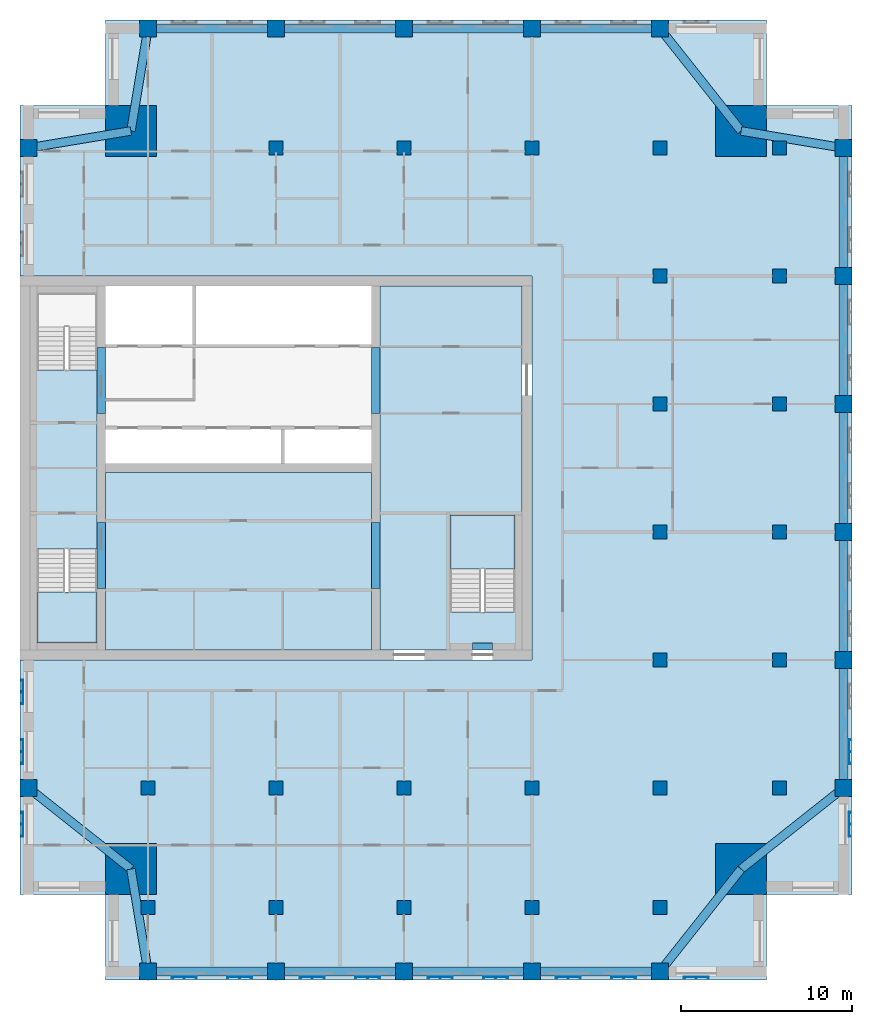
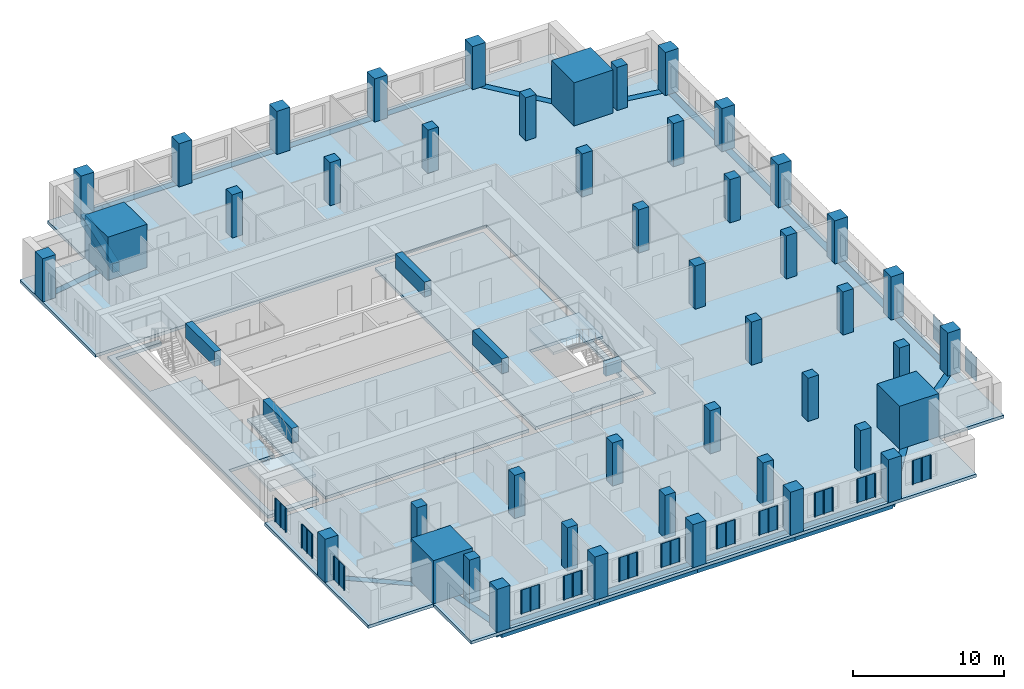
# One storey, part 1 of 10: 46 columns, 26 beams, 14 plates, 6 slabs, 2 elements without a shape of their own.
"""IFC4 building model written with IfcOpenShell, lengths in metres."""

from ifc_helpers import new_model, si_unit, direction, frame, origin, origin_2d, place, context, subcontext, project, spatial, polyline, rectangle, outline, extrude, material, layer, layer_set, material_profile, profile_set, type_object, element, aggregate, save


model = new_model("IFC4")

# Units and contexts
model_context = context("Model", 3, precision=1e-05, world=origin(), true_north=direction((0.0, 1.0)))
body_context = subcontext(model_context, "Body", "Model", "MODEL_VIEW")
ifc_project = project(units=[si_unit("LENGTHUNIT", "METRE"), si_unit("AREAUNIT", "SQUARE_METRE"), si_unit("VOLUMEUNIT", "CUBIC_METRE"), si_unit("PLANEANGLEUNIT", "RADIAN"), si_unit("MASSUNIT", "GRAM", prefix="KILO")], contexts=[model_context])

# Site, building, storey
site_placement = place(None, origin())
site = spatial("IfcSite", under=ifc_project, at=site_placement, CompositionType="ELEMENT")
building_placement = place(site_placement, origin())
building = spatial("IfcBuilding", under=site, at=building_placement, Name="Tamorin Gate", CompositionType="ELEMENT")
storey_placement = place(building_placement, frame((0.0, 0.0, 251.199951171875)))
storey = spatial("IfcBuildingStorey", under=building, at=storey_placement, Name="L63", CompositionType="ELEMENT", Elevation=251.199951171875)

# Columns
ifc_material_1 = material(Name="Concrete C50/60", Category="concrete")
ifc_material_profile_1 = material_profile(ifc_material_1, rectangle(XDim=1.0, YDim=1.0, at=origin_2d()), Name="RC 1000x1000")
ifc_profile_set_1 = profile_set([ifc_material_profile_1], Name="Concrete C50/60")
column_type_1 = type_object("IfcColumnType", Name="RC column 1000x1000 C50/60", PredefinedType="COLUMN", material=ifc_profile_set_1)
for number, where, z_axis, x_axis, name in (
    (1, (37.5, 41.75, 0.0), (0.0, 0.0, 1.0), (1.0, 0.0, 0.0), "Ring column L63"),
    (2, (45.0, 41.75, 0.0), (0.0, 0.0, 1.0), (1.0, 0.0, 0.0), "Ring column L63"),
    (3, (52.5, 41.75, 0.0), (0.0, 0.0, 1.0), (1.0, 0.0, 0.0), "Ring column L63"),
    (4, (60.0, 41.75, 0.0), (0.0, 0.0, 1.0), (1.0, 0.0, 0.0), "Ring column L63"),
    (5, (67.5, 41.75, 0.0), (0.0, 0.0, 1.0), (1.0, 0.0, 0.0), "Ring column L63"),
    (6, (78.25, 52.5, 0.0), (0.0, 0.0, 1.0), (1.0, 0.0, 0.0), "Ring column L63"),
    (7, (78.25, 60.0, 0.0), (0.0, 0.0, 1.0), (1.0, 0.0, 0.0), "Ring column L63"),
    (8, (78.25, 67.5, 0.0), (0.0, 0.0, 1.0), (1.0, 0.0, 0.0), "Ring column L63"),
    (9, (78.25, 75.0, 0.0), (0.0, 0.0, 1.0), (1.0, 0.0, 0.0), "Ring column L63"),
    (10, (78.25, 82.5, 0.0), (0.0, 0.0, 1.0), (1.0, 0.0, 0.0), "Ring column L63"),
    (11, (78.25, 90.0, 0.0), (0.0, 0.0, 1.0), (1.0, 0.0, 0.0), "Ring column L63"),
    (12, (30.5, 52.5, 0.0), (0.0, 0.0, 1.0), (1.0, 0.0, 0.0), "Ring column L63"),
    (13, (30.5, 90.0, 0.0), (0.0, 0.0, 1.0), (1.0, 0.0, 0.0), "Ring column L63"),
    (14, (37.5, 97.0, 0.0), (0.0, 0.0, 1.0), (1.0, 0.0, 0.0), "Ring column L63"),
    (15, (45.0, 97.0, 0.0), (0.0, 0.0, 1.0), (1.0, 0.0, 0.0), "Ring column L63"),
    (16, (52.5, 97.0, 0.0), (0.0, 0.0, 1.0), (1.0, 0.0, 0.0), "Ring column L63"),
    (17, (60.0, 97.0, 0.0), (0.0, 0.0, 1.0), (1.0, 0.0, 0.0), "Ring column L63"),
    (18, (67.5, 97.0, 0.0), (0.0, 0.0, 1.0), (1.0, 0.0, 0.0), "Ring column L63"),
):
    element("IfcColumn", number, at=place(storey_placement, frame(where, z_axis=z_axis, x_axis=x_axis)), inside=storey, type_object=column_type_1, Name=name, PredefinedType="COLUMN", context=body_context, shape_type="SweptSolid", body=[
        extrude(rectangle(XDim=1.0, YDim=1.0, at=origin_2d()), origin(), (0.0, 0.0, 1.0), 3.5),
    ])
ifc_material_profile_2 = material_profile(ifc_material_1, rectangle(XDim=3.0, YDim=3.0, at=origin_2d()), Name="RC 3000x3000")
ifc_profile_set_2 = profile_set([ifc_material_profile_2], Name="Concrete C50/60")
column_type_2 = type_object("IfcColumnType", Name="RC column 3000x3000 C50/60", PredefinedType="COLUMN", material=ifc_profile_set_2)
for number, where, z_axis, x_axis, name in (
    (19, (36.5, 47.75, 0.0), (0.0, 0.0, 1.0), (1.0, 0.0, 0.0), "Mega column SW L63"),
    (20, (72.25, 47.75, 0.0), (0.0, 0.0, 1.0), (1.0, 0.0, 0.0), "Mega column SE L63"),
    (21, (36.5, 91.0, 0.0), (0.0, 0.0, 1.0), (1.0, 0.0, 0.0), "Mega column NW L63"),
    (22, (72.25, 91.0, 0.0), (0.0, 0.0, 1.0), (1.0, 0.0, 0.0), "Mega column NE L63"),
):
    element("IfcColumn", number, at=place(storey_placement, frame(where, z_axis=z_axis, x_axis=x_axis)), inside=storey, type_object=column_type_2, Name=name, PredefinedType="COLUMN", context=body_context, shape_type="SweptSolid", body=[
        extrude(rectangle(XDim=3.0, YDim=3.0, at=origin_2d()), origin(), (0.0, 0.0, 1.0), 3.5),
    ])
ifc_material_profile_3 = material_profile(ifc_material_1, rectangle(XDim=0.800048828125, YDim=0.800048828125, at=origin_2d()), Name="RC 800x800")
ifc_profile_set_3 = profile_set([ifc_material_profile_3], Name="Concrete C50/60")
column_type_3 = type_object("IfcColumnType", Name="RC column 800x800 C50/60", PredefinedType="COLUMN", material=ifc_profile_set_3)
for number, where, z_axis, x_axis, name in (
    (23, (37.5, 45.5, 0.0), (0.0, 0.0, 1.0), (1.0, 0.0, 0.0), "Interior column L63"),
    (24, (37.5, 52.5, 0.0), (0.0, 0.0, 1.0), (1.0, 0.0, 0.0), "Interior column L63"),
    (25, (45.0, 45.5, 0.0), (0.0, 0.0, 1.0), (1.0, 0.0, 0.0), "Interior column L63"),
    (26, (45.0, 52.5, 0.0), (0.0, 0.0, 1.0), (1.0, 0.0, 0.0), "Interior column L63"),
    (27, (45.0, 90.0, 0.0), (0.0, 0.0, 1.0), (1.0, 0.0, 0.0), "Interior column L63"),
    (28, (52.5, 45.5, 0.0), (0.0, 0.0, 1.0), (1.0, 0.0, 0.0), "Interior column L63"),
    (29, (52.5, 52.5, 0.0), (0.0, 0.0, 1.0), (1.0, 0.0, 0.0), "Interior column L63"),
    (30, (52.5, 90.0, 0.0), (0.0, 0.0, 1.0), (1.0, 0.0, 0.0), "Interior column L63"),
    (31, (60.0, 45.5, 0.0), (0.0, 0.0, 1.0), (1.0, 0.0, 0.0), "Interior column L63"),
    (32, (60.0, 52.5, 0.0), (0.0, 0.0, 1.0), (1.0, 0.0, 0.0), "Interior column L63"),
    (33, (60.0, 90.0, 0.0), (0.0, 0.0, 1.0), (1.0, 0.0, 0.0), "Interior column L63"),
    (34, (67.5, 45.5, 0.0), (0.0, 0.0, 1.0), (1.0, 0.0, 0.0), "Interior column L63"),
    (35, (67.5, 52.5, 0.0), (0.0, 0.0, 1.0), (1.0, 0.0, 0.0), "Interior column L63"),
    (36, (67.5, 60.0, 0.0), (0.0, 0.0, 1.0), (1.0, 0.0, 0.0), "Interior column L63"),
    (37, (67.5, 67.5, 0.0), (0.0, 0.0, 1.0), (1.0, 0.0, 0.0), "Interior column L63"),
    (38, (67.5, 75.0, 0.0), (0.0, 0.0, 1.0), (1.0, 0.0, 0.0), "Interior column L63"),
    (39, (67.5, 82.5, 0.0), (0.0, 0.0, 1.0), (1.0, 0.0, 0.0), "Interior column L63"),
    (40, (67.5, 90.0, 0.0), (0.0, 0.0, 1.0), (1.0, 0.0, 0.0), "Interior column L63"),
    (41, (74.5, 52.5, 0.0), (0.0, 0.0, 1.0), (1.0, 0.0, 0.0), "Interior column L63"),
    (42, (74.5, 60.0, 0.0), (0.0, 0.0, 1.0), (1.0, 0.0, 0.0), "Interior column L63"),
    (43, (74.5, 67.5, 0.0), (0.0, 0.0, 1.0), (1.0, 0.0, 0.0), "Interior column L63"),
    (44, (74.5, 75.0, 0.0), (0.0, 0.0, 1.0), (1.0, 0.0, 0.0), "Interior column L63"),
    (45, (74.5, 82.5, 0.0), (0.0, 0.0, 1.0), (1.0, 0.0, 0.0), "Interior column L63"),
    (46, (74.5, 90.0, 0.0), (0.0, 0.0, 1.0), (1.0, 0.0, 0.0), "Interior column L63"),
):
    element("IfcColumn", number, at=place(storey_placement, frame(where, z_axis=z_axis, x_axis=x_axis)), inside=storey, type_object=column_type_3, Name=name, PredefinedType="COLUMN", context=body_context, shape_type="SweptSolid", body=[
        extrude(rectangle(XDim=0.800048828125, YDim=0.800048828125, at=origin_2d()), origin(), (0.0, 0.0, 1.0), 3.5),
    ])

# Beams
ifc_material_profile_4 = material_profile(ifc_material_1, rectangle(XDim=0.5, YDim=1.199951171875, at=origin_2d()), Name="RC 500x1200")
ifc_profile_set_4 = profile_set([ifc_material_profile_4], Name="Concrete C50/60")
beam_type_1 = type_object("IfcBeamType", Name="RC coupling beam 500x1200 C50/60", PredefinedType="BEAM", material=ifc_profile_set_4)
for number, where, z_axis, x_axis, name in (
    (47, (34.75, 64.199951171875, 2.900146484375), (0.0, 1.0, 0.0), (-1.0, 0.0, 0.0), "Coupling beam L63"),
    (48, (34.75, 74.449951171875, 2.900146484375), (0.0, 1.0, 0.0), (-1.0, 0.0, 0.0), "Coupling beam L63"),
    (49, (50.85009765625, 64.199951171875, 2.900146484375), (0.0, 1.0, 0.0), (-1.0, 0.0, 0.0), "Coupling beam L63"),
    (50, (50.85009765625, 74.449951171875, 2.900146484375), (0.0, 1.0, 0.0), (-1.0, 0.0, 0.0), "Coupling beam L63"),
):
    element("IfcBeam", number, at=place(storey_placement, frame(where, z_axis=z_axis, x_axis=x_axis)), inside=storey, type_object=beam_type_1, Name=name, PredefinedType="BEAM", context=body_context, shape_type="SweptSolid", body=[
        extrude(rectangle(XDim=0.5, YDim=1.199951171875, at=origin_2d()), origin(), (0.0, 0.0, 1.0), 3.85009765625),
    ])
ifc_material_profile_5 = material_profile(ifc_material_1, rectangle(XDim=0.5, YDim=0.75, at=origin_2d()), Name="RC 500x750")
ifc_profile_set_5 = profile_set([ifc_material_profile_5], Name="Concrete C50/60")
beam_type_2 = type_object("IfcBeamType", Name="RC spandrel 500x750 C50/60", PredefinedType="BEAM", material=ifc_profile_set_5)
for number, where, z_axis, x_axis, name in (
    (51, (37.5, 41.75, -0.375), (1.0, 0.0, 0.0), (0.0, 1.0, 0.0), "Spandrel beam L63"),
    (52, (45.0, 41.75, -0.375), (1.0, 0.0, 0.0), (0.0, 1.0, 0.0), "Spandrel beam L63"),
    (53, (52.5, 41.75, -0.375), (1.0, 0.0, 0.0), (0.0, 1.0, 0.0), "Spandrel beam L63"),
    (54, (60.0, 41.75, -0.375), (1.0, 0.0, 0.0), (0.0, 1.0, 0.0), "Spandrel beam L63"),
    (55, (78.25, 52.5, -0.375), (0.0, 1.0, 0.0), (-1.0, 0.0, 0.0), "Spandrel beam L63"),
    (56, (78.25, 60.0, -0.375), (0.0, 1.0, 0.0), (-1.0, 0.0, 0.0), "Spandrel beam L63"),
    (57, (78.25, 67.5, -0.375), (0.0, 1.0, 0.0), (-1.0, 0.0, 0.0), "Spandrel beam L63"),
    (58, (78.25, 75.0, -0.375), (0.0, 1.0, 0.0), (-1.0, 0.0, 0.0), "Spandrel beam L63"),
    (59, (78.25, 82.5, -0.375), (0.0, 1.0, 0.0), (-1.0, 0.0, 0.0), "Spandrel beam L63"),
    (60, (67.5, 97.0, -0.375), (-1.0, 0.0, 0.0), (0.0, -1.0, 0.0), "Spandrel beam L63"),
    (61, (60.0, 97.0, -0.375), (-1.0, 0.0, 0.0), (0.0, -1.0, 0.0), "Spandrel beam L63"),
    (62, (52.5, 97.0, -0.375), (-1.0, 0.0, 0.0), (0.0, -1.0, 0.0), "Spandrel beam L63"),
    (63, (45.0, 97.0, -0.375), (-1.0, 0.0, 0.0), (0.0, -1.0, 0.0), "Spandrel beam L63"),
):
    element("IfcBeam", number, at=place(storey_placement, frame(where, z_axis=z_axis, x_axis=x_axis)), inside=storey, type_object=beam_type_2, Name=name, PredefinedType="BEAM", context=body_context, shape_type="SweptSolid", body=[
        extrude(rectangle(XDim=0.5, YDim=0.75, at=origin_2d()), origin(), (0.0, 0.0, 1.0), 7.5),
    ])
beam_1_placement = place(storey_placement, frame((36.5, 47.75, -0.375), z_axis=(0.164398987305, -0.986393923832, 0.0), x_axis=(0.986393923832, 0.164398987305, 0.0)))
element("IfcBeam", 64, at=beam_1_placement, inside=storey, type_object=beam_type_2, Name="Corner tie beam L63", PredefinedType="BEAM", context=body_context, shape_type="SweptSolid", body=[
    extrude(rectangle(XDim=0.5, YDim=0.75, at=origin_2d()), origin(), (0.0, 0.0, 1.0), 6.082763671875),
])
for number, where, z_axis, x_axis, name in (
    (65, (36.5, 47.75, -0.375), (-0.784045824462, 0.620702944366, 0.0), (-0.620702944366, -0.784045824462, 0.0), "Corner tie beam L63"),
    (66, (72.25, 47.75, -0.375), (-0.620702944366, -0.784045824462, 0.0), (0.784045824462, -0.620702944366, 0.0), "Corner tie beam L63"),
    (67, (72.25, 47.75, -0.375), (0.784045824462, 0.620702944366, 0.0), (-0.620702944366, 0.784045824462, 0.0), "Corner tie beam L63"),
):
    element("IfcBeam", number, at=place(storey_placement, frame(where, z_axis=z_axis, x_axis=x_axis)), inside=storey, type_object=beam_type_2, Name=name, PredefinedType="BEAM", context=body_context, shape_type="SweptSolid", body=[
        extrude(rectangle(XDim=0.5, YDim=0.75, at=origin_2d()), origin(), (0.0, 0.0, 1.0), 7.652587890625),
    ])
for number, where, z_axis, x_axis, name in (
    (68, (36.5, 91.0, -0.375), (-0.986393923832, -0.164398987305, 0.0), (0.164398987305, -0.986393923832, 0.0), "Corner tie beam L63"),
    (69, (36.5, 91.0, -0.375), (0.164398987305, 0.986393923832, 0.0), (-0.986393923832, 0.164398987305, 0.0), "Corner tie beam L63"),
    (70, (72.25, 91.0, -0.375), (0.986393923832, -0.164398987305, 0.0), (0.164398987305, 0.986393923832, 0.0), "Corner tie beam L63"),
):
    element("IfcBeam", number, at=place(storey_placement, frame(where, z_axis=z_axis, x_axis=x_axis)), inside=storey, type_object=beam_type_2, Name=name, PredefinedType="BEAM", context=body_context, shape_type="SweptSolid", body=[
        extrude(rectangle(XDim=0.5, YDim=0.75, at=origin_2d()), origin(), (0.0, 0.0, 1.0), 6.082763671875),
    ])
beam_2_placement = place(storey_placement, frame((72.25, 91.0, -0.375), z_axis=(-0.620702944366, 0.784045824462, 0.0), x_axis=(-0.784045824462, -0.620702944366, 0.0)))
element("IfcBeam", 71, at=beam_2_placement, inside=storey, type_object=beam_type_2, Name="Corner tie beam L63", PredefinedType="BEAM", context=body_context, shape_type="SweptSolid", body=[
    extrude(rectangle(XDim=0.5, YDim=0.75, at=origin_2d()), origin(), (0.0, 0.0, 1.0), 7.652587890625),
])
ifc_material_profile_6 = material_profile(ifc_material_1, rectangle(XDim=0.39990234375, YDim=1.0, at=origin_2d()))
ifc_profile_set_6 = profile_set([ifc_material_profile_6], Name="Concrete C50/60")
beam_type_3 = type_object("IfcBeamType", Name="Stair lintel 400x1000 C50/60", PredefinedType="BEAM", material=ifc_profile_set_6)
beam_3_placement = place(storey_placement, frame((56.5, 60.800048828125, 2.699951171875), z_axis=(1.0, 0.0, 0.0), x_axis=(0.0, 1.0, 0.0)))
element("IfcBeam", 72, at=beam_3_placement, inside=storey, type_object=beam_type_3, Name="Stair lintel", PredefinedType="BEAM", context=body_context, shape_type="SweptSolid", body=[
    extrude(rectangle(XDim=0.39990234375, YDim=1.0, at=origin_2d()), origin(), (0.0, 0.0, 1.0), 1.199951171875),
])

# Slabs
ifc_material_2 = material(Name="Concrete C40/50", Category="concrete")
ifc_layer_1 = layer(ifc_material_2, 0.25)
ifc_layer_set_1 = layer_set([ifc_layer_1], Name="Core floor slab 250 C40/50")
slab_type_1 = type_object("IfcSlabType", Name="Core floor slab 250 C40/50", PredefinedType="FLOOR", material=ifc_layer_set_1)
slab_1_placement = place(storey_placement, frame((0.0, 0.0, -0.25)))
element("IfcSlab", 73, at=slab_1_placement, inside=storey, type_object=slab_type_1, Name="Core floor L63", PredefinedType="FLOOR", context=body_context, shape_type="SweptSolid", body=[
    extrude(outline(polyline([(51.10009765625, 81.89990234375), (59.39990234375, 81.89990234375), (59.39990234375, 60.60009765625), (51.10009765625, 60.60009765625), (51.10009765625, 81.89990234375)]), holes=[polyline([(55.199951171875, 62.800048828125), (59.0, 62.800048828125), (59.0, 68.5), (55.199951171875, 68.5), (55.199951171875, 62.800048828125)])]), origin(), (0.0, 0.0, 1.0), 0.25),
])
slab_2_placement = place(storey_placement, frame((0.0, 0.0, -0.25)))
element("IfcSlab", 74, at=slab_2_placement, inside=storey, type_object=slab_type_1, Name="Core floor L63", PredefinedType="FLOOR", context=body_context, shape_type="SweptSolid", body=[
    extrude(outline(polyline([(50.60009765625, 71.0), (50.60009765625, 60.60009765625), (35.0, 60.60009765625), (35.0, 71.0), (50.60009765625, 71.0)])), origin(), (0.0, 0.0, 1.0), 0.25),
])
slab_3_placement = place(storey_placement, frame((0.0, 0.0, -0.25)))
element("IfcSlab", 75, at=slab_3_placement, inside=storey, type_object=slab_type_1, Name="Core floor L63", PredefinedType="FLOOR", context=body_context, shape_type="SweptSolid", body=[
    extrude(outline(polyline([(34.5, 60.60009765625), (30.60009765625, 60.60009765625), (30.60009765625, 81.89990234375), (34.5, 81.89990234375), (34.5, 81.5), (31.0, 81.5), (31.0, 77.0), (34.5, 77.0), (34.5, 66.5), (31.0, 66.5), (31.0, 61.0), (34.5, 61.0), (34.5, 60.60009765625)])), origin(), (0.0, 0.0, 1.0), 0.25),
])

# Stair, slab
stair_type = type_object("IfcStairType", Name="Exit stair", PredefinedType="HALF_TURN_STAIR", material=ifc_material_2)
stair_1_placement = place(storey_placement, origin())
stair_1 = element("IfcStair", 76, at=stair_1_placement, inside=storey, type_object=stair_type, Name="L63 stair ST1", PredefinedType="HALF_TURN_STAIR")
ifc_layer_2 = layer(ifc_material_2, 0.199951171875)
ifc_layer_set_2 = layer_set([ifc_layer_2], Name="Exit stair landing 200")
slab_type_2 = type_object("IfcSlabType", Name="Exit stair landing 200", PredefinedType="LANDING", material=ifc_layer_set_2)
slab_4_placement = place(storey_placement, frame((0.0, 0.0, 1.550048828125)))
slab_4 = element("IfcSlab", 77, at=slab_4_placement, type_object=slab_type_2, Name="ST1 landing 1", PredefinedType="LANDING", context=body_context, shape_type="SweptSolid", body=[
    extrude(outline(polyline([(31.0, 63.97998046875), (31.0, 61.0), (34.5, 61.0), (34.5, 63.97998046875), (31.0, 63.97998046875)])), origin(), (0.0, 0.0, 1.0), 0.199951171875),
])
aggregate(stair_1, [slab_4])

stair_2_placement = place(storey_placement, origin())
stair_2 = element("IfcStair", 78, at=stair_2_placement, inside=storey, type_object=stair_type, Name="L63 stair ST3", PredefinedType="HALF_TURN_STAIR")
slab_5_placement = place(storey_placement, frame((0.0, 0.0, 1.550048828125)))
slab_5 = element("IfcSlab", 79, at=slab_5_placement, type_object=slab_type_2, Name="ST3 landing 1", PredefinedType="LANDING", context=body_context, shape_type="SweptSolid", body=[
    extrude(outline(polyline([(59.0, 65.320068359375), (59.0, 68.5), (55.199951171875, 68.5), (55.199951171875, 65.320068359375), (59.0, 65.320068359375)])), origin(), (0.0, 0.0, 1.0), 0.199951171875),
])
aggregate(stair_2, [slab_5])

# Slab
ifc_layer_3 = layer(ifc_material_2, 0.25)
ifc_layer_set_3 = layer_set([ifc_layer_3], Name="Floor slab 250 C40/50")
slab_type_3 = type_object("IfcSlabType", Name="Floor slab 250 C40/50", PredefinedType="FLOOR", material=ifc_layer_set_3)
slab_6_placement = place(storey_placement, frame((0.0, 0.0, -0.25)))
element("IfcSlab", 80, at=slab_6_placement, inside=storey, type_object=slab_type_3, Name="Floor L63", PredefinedType="FLOOR", context=body_context, shape_type="SweptSolid", body=[
    extrude(outline(polyline([(30.0, 92.5), (35.0, 92.5), (35.0, 97.5), (73.75, 97.5), (73.75, 92.5), (78.75, 92.5), (78.75, 46.25), (73.75, 46.25), (73.75, 41.25), (35.0, 41.25), (35.0, 46.25), (30.0, 46.25), (30.0, 60.0), (60.0, 60.0), (60.0, 82.5), (30.0, 82.5), (30.0, 92.5)])), origin(), (0.0, 0.0, 1.0), 0.25),
])

# Plates
ifc_material_3 = material(Name="Perforated pale aluminium sheet", Category="aluminium")
ifc_layer_4 = layer(ifc_material_3, 0.0400390625)
ifc_layer_set_4 = layer_set([ifc_layer_4], Name="Pale metal solar screen 1440")
plate_type = type_object("IfcPlateType", Name="Pale metal solar screen 1440", PredefinedType="SHEET", material=ifc_layer_set_4)
plate_1_placement = place(storey_placement, frame((0.0, 0.0, 0.737548828125)))
element("IfcPlate", 81, at=plate_1_placement, inside=storey, type_object=plate_type, Name="Perforated solar screen", PredefinedType="SHEET", context=body_context, shape_type="SweptSolid", body=[
    extrude(outline(polyline([(38.905029296875, 41.409912109375), (38.905029296875, 41.449951171875), (38.965087890625, 41.449951171875), (39.594970703125, 41.449951171875), (39.655029296875, 41.449951171875), (40.284912109375, 41.449951171875), (40.344970703125, 41.449951171875), (40.344970703125, 41.449951171875), (40.344970703125, 41.409912109375), (40.344970703125, 41.409912109375), (40.344970703125, 41.35009765625), (40.284912109375, 41.35009765625), (40.284912109375, 41.409912109375), (39.655029296875, 41.409912109375), (39.655029296875, 41.35009765625), (39.594970703125, 41.35009765625), (39.594970703125, 41.409912109375), (38.965087890625, 41.409912109375), (38.965087890625, 41.35009765625), (38.905029296875, 41.35009765625), (38.905029296875, 41.409912109375)])), origin(), (0.0, 0.0, 1.0), 1.925048828125),
])
plate_2_placement = place(storey_placement, frame((0.0, 0.0, 0.737548828125)))
element("IfcPlate", 82, at=plate_2_placement, inside=storey, type_object=plate_type, Name="Perforated solar screen", PredefinedType="SHEET", context=body_context, shape_type="SweptSolid", body=[
    extrude(outline(polyline([(42.155029296875, 41.409912109375), (42.155029296875, 41.449951171875), (42.215087890625, 41.449951171875), (42.844970703125, 41.449951171875), (42.905029296875, 41.449951171875), (43.534912109375, 41.449951171875), (43.594970703125, 41.449951171875), (43.594970703125, 41.409912109375), (43.594970703125, 41.35009765625), (43.534912109375, 41.35009765625), (43.534912109375, 41.409912109375), (42.905029296875, 41.409912109375), (42.905029296875, 41.35009765625), (42.844970703125, 41.35009765625), (42.844970703125, 41.409912109375), (42.215087890625, 41.409912109375), (42.215087890625, 41.35009765625), (42.155029296875, 41.35009765625), (42.155029296875, 41.409912109375)])), origin(), (0.0, 0.0, 1.0), 1.925048828125),
])
plate_3_placement = place(storey_placement, frame((0.0, 0.0, 0.737548828125)))
element("IfcPlate", 83, at=plate_3_placement, inside=storey, type_object=plate_type, Name="Perforated solar screen", PredefinedType="SHEET", context=body_context, shape_type="SweptSolid", body=[
    extrude(outline(polyline([(46.405029296875, 41.409912109375), (46.405029296875, 41.449951171875), (46.465087890625, 41.449951171875), (47.094970703125, 41.449951171875), (47.155029296875, 41.449951171875), (47.784912109375, 41.449951171875), (47.844970703125, 41.449951171875), (47.844970703125, 41.409912109375), (47.844970703125, 41.35009765625), (47.784912109375, 41.35009765625), (47.784912109375, 41.409912109375), (47.155029296875, 41.409912109375), (47.155029296875, 41.35009765625), (47.094970703125, 41.35009765625), (47.094970703125, 41.409912109375), (46.465087890625, 41.409912109375), (46.465087890625, 41.35009765625), (46.405029296875, 41.35009765625), (46.405029296875, 41.409912109375)])), origin(), (0.0, 0.0, 1.0), 1.925048828125),
])
plate_4_placement = place(storey_placement, frame((0.0, 0.0, 0.737548828125)))
element("IfcPlate", 84, at=plate_4_placement, inside=storey, type_object=plate_type, Name="Perforated solar screen", PredefinedType="SHEET", context=body_context, shape_type="SweptSolid", body=[
    extrude(outline(polyline([(49.655029296875, 41.409912109375), (49.655029296875, 41.449951171875), (49.715087890625, 41.449951171875), (50.344970703125, 41.449951171875), (50.405029296875, 41.449951171875), (51.034912109375, 41.449951171875), (51.094970703125, 41.449951171875), (51.094970703125, 41.409912109375), (51.094970703125, 41.35009765625), (51.034912109375, 41.35009765625), (51.034912109375, 41.409912109375), (50.405029296875, 41.409912109375), (50.405029296875, 41.35009765625), (50.344970703125, 41.35009765625), (50.344970703125, 41.409912109375), (49.715087890625, 41.409912109375), (49.715087890625, 41.35009765625), (49.655029296875, 41.35009765625), (49.655029296875, 41.409912109375)])), origin(), (0.0, 0.0, 1.0), 1.925048828125),
])
plate_5_placement = place(storey_placement, frame((0.0, 0.0, 0.737548828125)))
element("IfcPlate", 85, at=plate_5_placement, inside=storey, type_object=plate_type, Name="Perforated solar screen", PredefinedType="SHEET", context=body_context, shape_type="SweptSolid", body=[
    extrude(outline(polyline([(53.905029296875, 41.409912109375), (53.905029296875, 41.449951171875), (53.965087890625, 41.449951171875), (54.594970703125, 41.449951171875), (54.655029296875, 41.449951171875), (55.284912109375, 41.449951171875), (55.344970703125, 41.449951171875), (55.344970703125, 41.409912109375), (55.344970703125, 41.35009765625), (55.284912109375, 41.35009765625), (55.284912109375, 41.409912109375), (54.655029296875, 41.409912109375), (54.655029296875, 41.35009765625), (54.594970703125, 41.35009765625), (54.594970703125, 41.409912109375), (53.965087890625, 41.409912109375), (53.965087890625, 41.35009765625), (53.905029296875, 41.35009765625), (53.905029296875, 41.409912109375)])), origin(), (0.0, 0.0, 1.0), 1.925048828125),
])
plate_6_placement = place(storey_placement, frame((0.0, 0.0, 0.737548828125)))
element("IfcPlate", 86, at=plate_6_placement, inside=storey, type_object=plate_type, Name="Perforated solar screen", PredefinedType="SHEET", context=body_context, shape_type="SweptSolid", body=[
    extrude(outline(polyline([(57.155029296875, 41.409912109375), (57.155029296875, 41.449951171875), (57.215087890625, 41.449951171875), (57.844970703125, 41.449951171875), (57.905029296875, 41.449951171875), (58.534912109375, 41.449951171875), (58.594970703125, 41.449951171875), (58.594970703125, 41.409912109375), (58.594970703125, 41.35009765625), (58.534912109375, 41.35009765625), (58.534912109375, 41.409912109375), (57.905029296875, 41.409912109375), (57.905029296875, 41.35009765625), (57.844970703125, 41.35009765625), (57.844970703125, 41.409912109375), (57.215087890625, 41.409912109375), (57.215087890625, 41.35009765625), (57.155029296875, 41.35009765625), (57.155029296875, 41.409912109375)])), origin(), (0.0, 0.0, 1.0), 1.925048828125),
])
plate_7_placement = place(storey_placement, frame((0.0, 0.0, 0.737548828125)))
element("IfcPlate", 87, at=plate_7_placement, inside=storey, type_object=plate_type, Name="Perforated solar screen", PredefinedType="SHEET", context=body_context, shape_type="SweptSolid", body=[
    extrude(outline(polyline([(61.405029296875, 41.409912109375), (61.405029296875, 41.449951171875), (61.465087890625, 41.449951171875), (62.094970703125, 41.449951171875), (62.155029296875, 41.449951171875), (62.784912109375, 41.449951171875), (62.844970703125, 41.449951171875), (62.844970703125, 41.409912109375), (62.844970703125, 41.35009765625), (62.784912109375, 41.35009765625), (62.784912109375, 41.409912109375), (62.155029296875, 41.409912109375), (62.155029296875, 41.35009765625), (62.094970703125, 41.35009765625), (62.094970703125, 41.409912109375), (61.465087890625, 41.409912109375), (61.465087890625, 41.35009765625), (61.405029296875, 41.35009765625), (61.405029296875, 41.409912109375)])), origin(), (0.0, 0.0, 1.0), 1.925048828125),
])
plate_8_placement = place(storey_placement, frame((0.0, 0.0, 0.737548828125)))
element("IfcPlate", 88, at=plate_8_placement, inside=storey, type_object=plate_type, Name="Perforated solar screen", PredefinedType="SHEET", context=body_context, shape_type="SweptSolid", body=[
    extrude(outline(polyline([(64.655029296875, 41.409912109375), (64.655029296875, 41.449951171875), (64.715087890625, 41.449951171875), (65.344970703125, 41.449951171875), (65.405029296875, 41.449951171875), (66.034912109375, 41.449951171875), (66.094970703125, 41.449951171875), (66.094970703125, 41.409912109375), (66.094970703125, 41.35009765625), (66.034912109375, 41.35009765625), (66.034912109375, 41.409912109375), (65.405029296875, 41.409912109375), (65.405029296875, 41.35009765625), (65.344970703125, 41.35009765625), (65.344970703125, 41.409912109375), (64.715087890625, 41.409912109375), (64.715087890625, 41.35009765625), (64.655029296875, 41.35009765625), (64.655029296875, 41.409912109375)])), origin(), (0.0, 0.0, 1.0), 1.925048828125),
])
plate_9_placement = place(storey_placement, frame((0.0, 0.0, 0.737548828125)))
element("IfcPlate", 89, at=plate_9_placement, inside=storey, type_object=plate_type, Name="Perforated solar screen", PredefinedType="SHEET", context=body_context, shape_type="SweptSolid", body=[
    extrude(outline(polyline([(68.905029296875, 41.409912109375), (68.905029296875, 41.449951171875), (68.965087890625, 41.449951171875), (69.594970703125, 41.449951171875), (69.655029296875, 41.449951171875), (70.284912109375, 41.449951171875), (70.344970703125, 41.449951171875), (70.344970703125, 41.409912109375), (70.344970703125, 41.35009765625), (70.284912109375, 41.35009765625), (70.284912109375, 41.409912109375), (69.655029296875, 41.409912109375), (69.655029296875, 41.35009765625), (69.594970703125, 41.35009765625), (69.594970703125, 41.409912109375), (68.965087890625, 41.409912109375), (68.965087890625, 41.35009765625), (68.905029296875, 41.35009765625), (68.905029296875, 41.409912109375)])), origin(), (0.0, 0.0, 1.0), 1.925048828125),
])
plate_10_placement = place(storey_placement, frame((0.0, 0.0, 0.737548828125)))
element("IfcPlate", 90, at=plate_10_placement, inside=storey, type_object=plate_type, Name="Perforated solar screen", PredefinedType="SHEET", context=body_context, shape_type="SweptSolid", body=[
    extrude(outline(polyline([(78.590087890625, 49.655029296875), (78.550048828125, 49.655029296875), (78.550048828125, 49.715087890625), (78.550048828125, 50.344970703125), (78.550048828125, 50.405029296875), (78.550048828125, 51.034912109375), (78.550048828125, 51.094970703125), (78.550048828125, 51.094970703125), (78.590087890625, 51.094970703125), (78.590087890625, 51.094970703125), (78.64990234375, 51.094970703125), (78.64990234375, 51.034912109375), (78.590087890625, 51.034912109375), (78.590087890625, 50.405029296875), (78.64990234375, 50.405029296875), (78.64990234375, 50.344970703125), (78.590087890625, 50.344970703125), (78.590087890625, 49.715087890625), (78.64990234375, 49.715087890625), (78.64990234375, 49.655029296875), (78.590087890625, 49.655029296875)])), origin(), (0.0, 0.0, 1.0), 1.925048828125),
])
plate_11_placement = place(storey_placement, frame((0.0, 0.0, 0.737548828125)))
element("IfcPlate", 91, at=plate_11_placement, inside=storey, type_object=plate_type, Name="Perforated solar screen", PredefinedType="SHEET", context=body_context, shape_type="SweptSolid", body=[
    extrude(outline(polyline([(78.590087890625, 53.905029296875), (78.550048828125, 53.905029296875), (78.550048828125, 53.965087890625), (78.550048828125, 54.594970703125), (78.550048828125, 54.655029296875), (78.550048828125, 55.284912109375), (78.550048828125, 55.344970703125), (78.590087890625, 55.344970703125), (78.64990234375, 55.344970703125), (78.64990234375, 55.284912109375), (78.590087890625, 55.284912109375), (78.590087890625, 54.655029296875), (78.64990234375, 54.655029296875), (78.64990234375, 54.594970703125), (78.590087890625, 54.594970703125), (78.590087890625, 53.965087890625), (78.64990234375, 53.965087890625), (78.64990234375, 53.905029296875), (78.590087890625, 53.905029296875)])), origin(), (0.0, 0.0, 1.0), 1.925048828125),
])
plate_12_placement = place(storey_placement, frame((0.0, 0.0, 0.737548828125)))
element("IfcPlate", 92, at=plate_12_placement, inside=storey, type_object=plate_type, Name="Perforated solar screen", PredefinedType="SHEET", context=body_context, shape_type="SweptSolid", body=[
    extrude(outline(polyline([(30.159912109375, 55.344970703125), (30.199951171875, 55.344970703125), (30.199951171875, 55.284912109375), (30.199951171875, 54.655029296875), (30.199951171875, 54.594970703125), (30.199951171875, 53.965087890625), (30.199951171875, 53.905029296875), (30.159912109375, 53.905029296875), (30.10009765625, 53.905029296875), (30.10009765625, 53.965087890625), (30.159912109375, 53.965087890625), (30.159912109375, 54.594970703125), (30.10009765625, 54.594970703125), (30.10009765625, 54.655029296875), (30.159912109375, 54.655029296875), (30.159912109375, 55.284912109375), (30.10009765625, 55.284912109375), (30.10009765625, 55.344970703125), (30.159912109375, 55.344970703125)])), origin(), (0.0, 0.0, 1.0), 1.925048828125),
])
plate_13_placement = place(storey_placement, frame((0.0, 0.0, 0.737548828125)))
element("IfcPlate", 93, at=plate_13_placement, inside=storey, type_object=plate_type, Name="Perforated solar screen", PredefinedType="SHEET", context=body_context, shape_type="SweptSolid", body=[
    extrude(outline(polyline([(30.159912109375, 58.844970703125), (30.199951171875, 58.844970703125), (30.199951171875, 58.784912109375), (30.199951171875, 58.155029296875), (30.199951171875, 58.094970703125), (30.199951171875, 57.465087890625), (30.199951171875, 57.405029296875), (30.159912109375, 57.405029296875), (30.10009765625, 57.405029296875), (30.10009765625, 57.465087890625), (30.159912109375, 57.465087890625), (30.159912109375, 58.094970703125), (30.10009765625, 58.094970703125), (30.10009765625, 58.155029296875), (30.159912109375, 58.155029296875), (30.159912109375, 58.784912109375), (30.10009765625, 58.784912109375), (30.10009765625, 58.844970703125), (30.159912109375, 58.844970703125)])), origin(), (0.0, 0.0, 1.0), 1.925048828125),
])
plate_14_placement = place(storey_placement, frame((0.0, 0.0, 0.737548828125)))
element("IfcPlate", 94, at=plate_14_placement, inside=storey, type_object=plate_type, Name="Perforated solar screen", PredefinedType="SHEET", context=body_context, shape_type="SweptSolid", body=[
    extrude(outline(polyline([(30.159912109375, 51.094970703125), (30.199951171875, 51.094970703125), (30.199951171875, 51.034912109375), (30.199951171875, 50.405029296875), (30.199951171875, 50.344970703125), (30.199951171875, 49.715087890625), (30.199951171875, 49.655029296875), (30.159912109375, 49.655029296875), (30.10009765625, 49.655029296875), (30.10009765625, 49.715087890625), (30.159912109375, 49.715087890625), (30.159912109375, 50.344970703125), (30.10009765625, 50.344970703125), (30.10009765625, 50.405029296875), (30.159912109375, 50.405029296875), (30.159912109375, 51.034912109375), (30.10009765625, 51.034912109375), (30.10009765625, 51.094970703125), (30.159912109375, 51.094970703125)])), origin(), (0.0, 0.0, 1.0), 1.925048828125),
])

save(model, "model.ifc")
